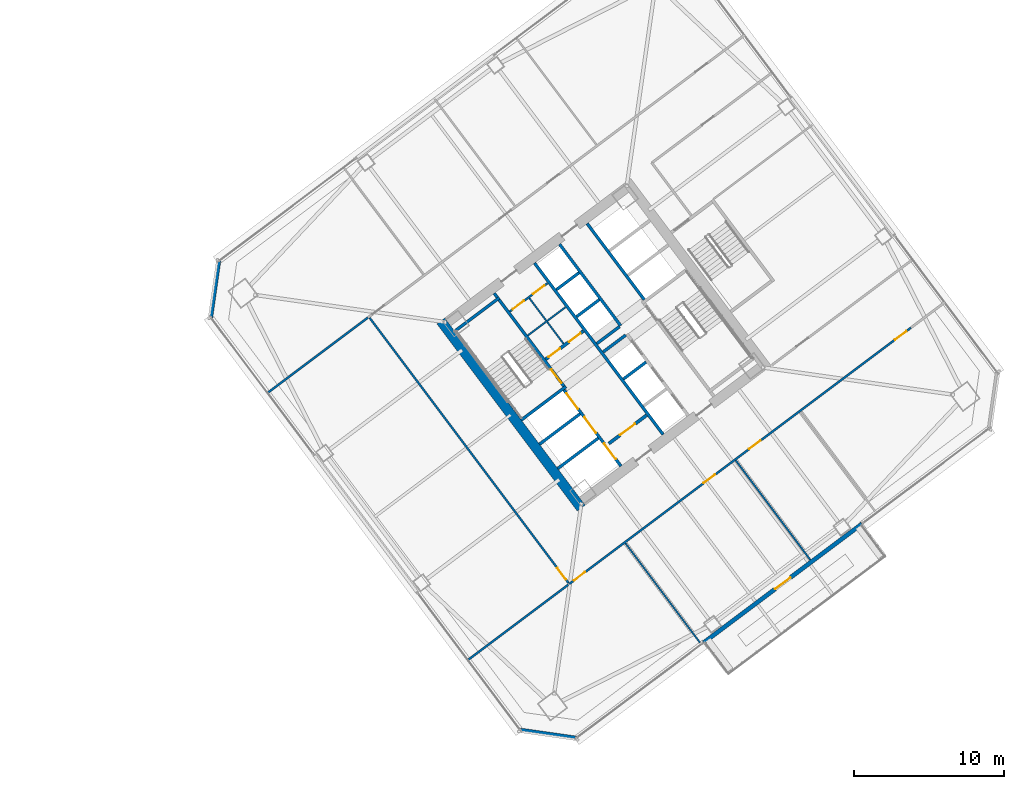
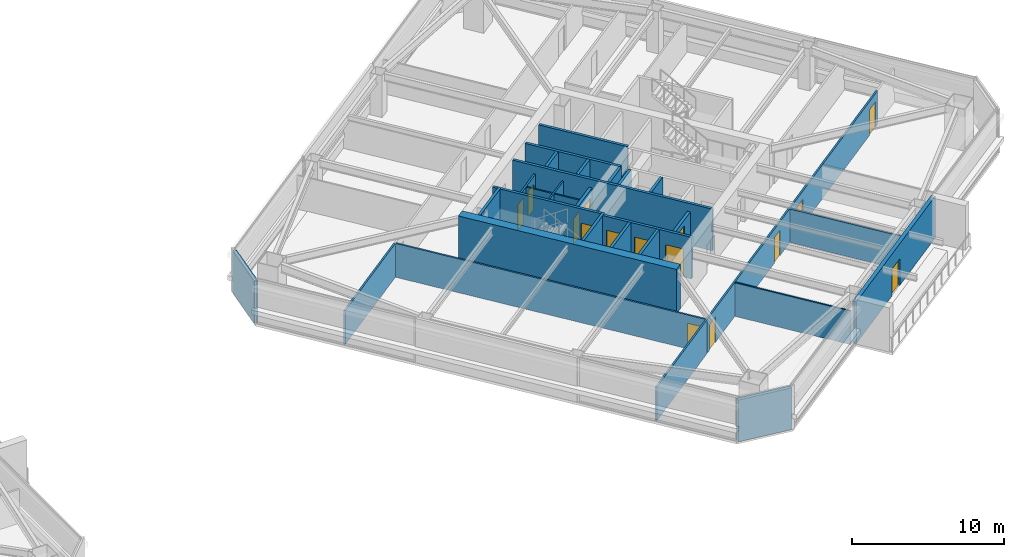
# One storey, part 36 of 44: 29 walls, 15 doors, 15 openings.
"""IFC4 building model written with IfcOpenShell, lengths in metres."""

from ifc_helpers import new_model, si_unit, direction, frame, frame_2d, origin, place, context, subcontext, project, spatial, rectangle, extrude, material, layer, layer_set, type_object, element, fill, save


model = new_model("IFC4")

# Units and contexts
model_context = context("Model", 3, precision=1e-05, world=origin(), true_north=direction((0.0, 1.0)))
body_context = subcontext(model_context, "Body", "Model", "MODEL_VIEW")
ifc_project = project(units=[si_unit("LENGTHUNIT", "METRE"), si_unit("AREAUNIT", "SQUARE_METRE"), si_unit("VOLUMEUNIT", "CUBIC_METRE"), si_unit("PLANEANGLEUNIT", "RADIAN"), si_unit("MASSUNIT", "GRAM", prefix="KILO")], contexts=[model_context])

# Site, building, storey
site_placement = place(None, origin())
site = spatial("IfcSite", under=ifc_project, at=site_placement, CompositionType="ELEMENT")
building_placement = place(site_placement, origin())
building = spatial("IfcBuilding", under=site, at=building_placement, Name="Tashvorn Skyway Center", CompositionType="ELEMENT")
storey_placement = place(building_placement, frame((0.0, 0.0, 102.699951171875)))
storey = spatial("IfcBuildingStorey", under=building, at=storey_placement, Name="L27", CompositionType="ELEMENT", Elevation=102.699951171875)

# Wall
ifc_material_1 = material(Name="Concrete C60/75", Category="concrete")
ifc_layer_1 = layer(ifc_material_1, 0.64990234375)
ifc_layer_set_1 = layer_set([ifc_layer_1], Name="Concrete C60/75")
wall_type_1 = type_object("IfcWallType", Name="WALL-CORE-650", PredefinedType="SHEAR", material=ifc_layer_set_1)
wall_1_placement = place(storey_placement, frame((112.47607421875, 21.10693359375, 0.0), z_axis=(0.0, 0.0, 1.0), x_axis=(-0.600005007985, 0.799996243986, 0.0)))
element("IfcWall", 1, at=wall_1_placement, inside=storey, type_object=wall_type_1, Name="Tower 2 L27 West Core Shear Wall", PredefinedType="SHEAR", context=body_context, shape_type="SweptSolid", body=[
    extrude(rectangle(XDim=15.60009765625, YDim=0.64990234375, at=frame_2d((7.800048828125, 0.0))), origin(), (0.0, 0.0, 1.0), 3.550048828125),
])

# Wall, opening, door
ifc_material_2 = material(Name="Precast concrete C40/50", Category="concrete")
ifc_layer_2 = layer(ifc_material_2, 0.280029296875)
ifc_layer_set_2 = layer_set([ifc_layer_2], Name="Precast concrete C40/50")
wall_type_2 = type_object("IfcWallType", Name="WALL-EXT-280", PredefinedType="SOLIDWALL", material=ifc_layer_set_2)
wall_2_placement = place(storey_placement, frame((131.2080078125, 20.055908203125, 0.0), z_axis=(0.0, 0.0, 1.0), x_axis=(-0.800004438899, -0.599994081423, 0.0)))
wall_2 = element("IfcWall", 2, at=wall_2_placement, inside=storey, type_object=wall_type_2, Name="Tower 2 L27 South Sky Garden Loggia Wall", PredefinedType="SOLIDWALL", context=body_context, shape_type="SweptSolid", body=[
    extrude(rectangle(XDim=13.199951171875, YDim=0.280029296875, at=frame_2d((6.60009765625, 0.0))), origin(), (0.0, 0.0, 1.0), 3.35009765625),
])
opening_1_placement = place(wall_2_placement, frame((5.949951171875, 0.0, 0.0)))
opening_1 = element("IfcOpeningElement", 3, at=opening_1_placement, cuts=wall_2, Name="Opening D-TER-1300", PredefinedType="OPENING", context=body_context, shape_type="SweptSolid", body=[
    extrude(rectangle(XDim=1.300048828125, YDim=2.14990234375, at=frame_2d((0.64990234375, 1.074951171875))), frame((0.0, 0.14990234375, 0.0), z_axis=(0.0, -1.0, 0.0), x_axis=(1.0, 0.0, 0.0)), (0.0, 0.0, 1.0), 0.300048828125),
])
ifc_material_3 = material(Name="Thermally broken bronze-anodized aluminium 6063-T6", Category="aluminium")
door_type_1 = type_object("IfcDoorType", Name="DOOR-TERR-1300", OperationType="NOTDEFINED", PredefinedType="DOOR", material=ifc_material_3)
door_1_placement = place(opening_1_placement, origin())
door_1 = element("IfcDoor", 4, at=door_1_placement, inside=storey, type_object=door_type_1, Name="Tower 2 L27 Sky Garden Access Door", OperationType="SINGLE_SWING_RIGHT", OverallHeight=2.14990234375, OverallWidth=1.300048828125, PredefinedType="DOOR", context=body_context, shape_type="SweptSolid", body=[
    extrude(rectangle(XDim=1.300048828125, YDim=2.14990234375, at=frame_2d((0.64990234375, 1.074951171875))), frame((0.0, 0.02490234375, 0.0), z_axis=(0.0, -1.0, 0.0), x_axis=(1.0, 0.0, 0.0)), (0.0, 0.0, 1.0), 0.050048828125),
])
fill(opening_1, door_1)

# Walls
for number, where, z_axis, x_axis, name in (
    (5, (112.179931640625, 5.760009765625, 0.0), (0.0, 0.0, 1.0), (-0.989948214866, 0.141430307517, 0.0), "Tower 2 L27 SW Precast Chamfer Wall"),
    (6, (87.760009765625, 33.820068359375, 0.0), (0.0, 0.0, 1.0), (0.141430307517, 0.989948214866, 0.0), "Tower 2 L27 NW Precast Chamfer Wall"),
):
    element("IfcWall", number, at=place(storey_placement, frame(where, z_axis=z_axis, x_axis=x_axis)), inside=storey, type_object=wall_type_2, Name=name, PredefinedType="SOLIDWALL", context=body_context, shape_type="SweptSolid", body=[
        extrude(rectangle(XDim=3.818359375, YDim=0.280029296875, at=frame_2d((1.9091796875, 0.0))), origin(), (0.0, 0.0, 1.0), 3.35009765625),
    ])

# Wall, openings, doors
ifc_material_4 = material(Name="Concrete C40/50", Category="concrete")
ifc_layer_3 = layer(ifc_material_4, 0.219970703125)
ifc_layer_set_3 = layer_set([ifc_layer_3], Name="Concrete C40/50")
wall_type_3 = type_object("IfcWallType", Name="WALL-FFL-220", PredefinedType="SOLIDWALL", material=ifc_layer_set_3)
wall_3_placement = place(storey_placement, frame((110.10400390625, 31.028076171875, 0.0), z_axis=(0.0, 0.0, 1.0), x_axis=(0.800018601094, 0.59997519774, 0.0)))
wall_3 = element("IfcWall", 7, at=wall_3_placement, inside=storey, type_object=wall_type_3, Name="Tower 2 L27 Firefighting Lobby North Wall", PredefinedType="SOLIDWALL", context=body_context, shape_type="SweptSolid", body=[
    extrude(rectangle(XDim=3.14990234375, YDim=0.219970703125, at=frame_2d((1.574951171875, 0.0))), origin(), (0.0, 0.0, 1.0), 2.703125),
])
opening_2_placement = place(wall_3_placement, frame((0.25, 0.0, 0.0)))
opening_2 = element("IfcOpeningElement", 8, at=opening_2_placement, cuts=wall_3, Name="Opening D-RT-950", PredefinedType="OPENING", context=body_context, shape_type="SweptSolid", body=[
    extrude(rectangle(XDim=0.949951171875, YDim=2.050048828125, at=frame_2d((0.47509765625, 1.02490234375))), frame((0.0, 0.119873046875, 0.0), z_axis=(0.0, -1.0, 0.0), x_axis=(1.0, 0.0, 0.0)), (0.0, 0.0, 1.0), 0.239990234375),
])
opening_3_placement = place(wall_3_placement, frame((1.949951171875, 0.0, 0.0)))
opening_3 = element("IfcOpeningElement", 9, at=opening_3_placement, cuts=wall_3, Name="Opening D-RT-950", PredefinedType="OPENING", context=body_context, shape_type="SweptSolid", body=[
    extrude(rectangle(XDim=0.949951171875, YDim=2.050048828125, at=frame_2d((0.47509765625, 1.02490234375))), frame((0.0, 0.119873046875, 0.0), z_axis=(0.0, -1.0, 0.0), x_axis=(1.0, 0.0, 0.0)), (0.0, 0.0, 1.0), 0.239990234375),
])
ifc_material_5 = material(Name="Hollow galvanized steel fire door assembly", Category="steel")
door_type_2 = type_object("IfcDoorType", Name="DOOR-RATED-950", OperationType="NOTDEFINED", PredefinedType="DOOR", material=ifc_material_5)
door_2_placement = place(opening_2_placement, origin())
door_2 = element("IfcDoor", 10, at=door_2_placement, inside=storey, type_object=door_type_2, Name="Tower 2 L27 Core Mail Room Door", OperationType="SINGLE_SWING_LEFT", OverallHeight=2.050048828125, OverallWidth=0.949951171875, PredefinedType="DOOR", context=body_context, shape_type="SweptSolid", body=[
    extrude(rectangle(XDim=0.949951171875, YDim=2.050048828125, at=frame_2d((0.47509765625, 1.02490234375))), frame((0.0, 0.02490234375, 0.0), z_axis=(0.0, -1.0, 0.0), x_axis=(1.0, 0.0, 0.0)), (0.0, 0.0, 1.0), 0.050048828125),
])
fill(opening_2, door_2)
door_3_placement = place(opening_3_placement, origin())
door_3 = element("IfcDoor", 11, at=door_3_placement, inside=storey, type_object=door_type_2, Name="Tower 2 L27 Core Supply Closet Door", OperationType="SINGLE_SWING_RIGHT", OverallHeight=2.050048828125, OverallWidth=0.949951171875, PredefinedType="DOOR", context=body_context, shape_type="SweptSolid", body=[
    extrude(rectangle(XDim=0.949951171875, YDim=2.050048828125, at=frame_2d((0.47509765625, 1.02490234375))), frame((0.0, 0.02490234375, 0.0), z_axis=(0.0, -1.0, 0.0), x_axis=(1.0, 0.0, 0.0)), (0.0, 0.0, 1.0), 0.050048828125),
])
fill(opening_3, door_3)

# Wall, opening, door
wall_4_placement = place(storey_placement, frame((114.31591796875, 25.412109375, 0.0), z_axis=(0.0, 0.0, 1.0), x_axis=(0.800018601094, 0.59997519774, 0.0)))
wall_4 = element("IfcWall", 12, at=wall_4_placement, inside=storey, type_object=wall_type_3, Name="Tower 2 L27 Firefighting Lobby South Wall", PredefinedType="SOLIDWALL", context=body_context, shape_type="SweptSolid", body=[
    extrude(rectangle(XDim=3.14990234375, YDim=0.219970703125, at=frame_2d((1.574951171875, 0.0))), origin(), (0.0, 0.0, 1.0), 2.703125),
])
opening_4_placement = place(wall_4_placement, frame((0.949951171875, 0.0, 0.0)))
opening_4 = element("IfcOpeningElement", 13, at=opening_4_placement, cuts=wall_4, Name="Opening D-FFL-1250", PredefinedType="OPENING", context=body_context, shape_type="SweptSolid", body=[
    extrude(rectangle(XDim=1.25, YDim=2.25, at=frame_2d((0.625, 1.125))), frame((0.0, 0.119873046875, 0.0), z_axis=(0.0, -1.0, 0.0), x_axis=(1.0, 0.0, 0.0)), (0.0, 0.0, 1.0), 0.239990234375),
])
door_type_3 = type_object("IfcDoorType", Name="DOOR-FFL-1250", OperationType="NOTDEFINED", PredefinedType="DOOR", material=ifc_material_5)
door_4_placement = place(opening_4_placement, origin())
door_4 = element("IfcDoor", 14, at=door_4_placement, inside=storey, type_object=door_type_3, Name="Tower 2 L27 Firefighting Lobby Egress Door", OperationType="SINGLE_SWING_LEFT", OverallHeight=2.25, OverallWidth=1.25, PredefinedType="DOOR", context=body_context, shape_type="SweptSolid", body=[
    extrude(rectangle(XDim=1.25, YDim=2.25, at=frame_2d((0.625, 1.125))), frame((0.0, 0.02490234375, 0.0), z_axis=(0.0, -1.0, 0.0), x_axis=(1.0, 0.0, 0.0)), (0.0, 0.0, 1.0), 0.050048828125),
])
fill(opening_4, door_4)

# Walls
ifc_material_6 = material(Name="Gypsum board on cold-formed steel stud framing", Category="steel")
ifc_layer_4 = layer(ifc_material_6, 0.110107421875)
ifc_layer_set_4 = layer_set([ifc_layer_4], Name="Gypsum board on cold-formed steel stud framing")
wall_type_4 = type_object("IfcWallType", Name="WALL-PART-110", PredefinedType="PARTITIONING", material=ifc_layer_set_4)
for number, where, z_axis, x_axis, name in (
    (15, (120.39794921875, 12.135986328125, 0.0), (0.0, 0.0, 1.0), (-0.6, 0.8, 0.0), "Tower 2 L27 South Suite Partition 1"),
    (16, (127.758056640625, 17.656005859375, 0.0), (0.0, 0.0, 1.0), (-0.6, 0.8, 0.0), "Tower 2 L27 South Suite Partition 2"),
):
    element("IfcWall", number, at=place(storey_placement, frame(where, z_axis=z_axis, x_axis=x_axis)), inside=storey, type_object=wall_type_4, Name=name, PredefinedType="PARTITIONING", context=body_context, shape_type="SweptSolid", body=[
        extrude(rectangle(XDim=8.280029296875, YDim=0.110107421875, at=frame_2d((4.14013671875, 0.0))), origin(), (0.0, 0.0, 1.0), 2.703125),
    ])

# Wall, openings, doors
ifc_layer_5 = layer(ifc_material_6, 0.135009765625)
ifc_layer_set_5 = layer_set([ifc_layer_5], Name="Gypsum board on cold-formed steel stud framing")
wall_type_5 = type_object("IfcWallType", Name="WALL-PART-135", PredefinedType="PARTITIONING", material=ifc_layer_set_5)
wall_5_placement = place(storey_placement, frame((134.4619140625, 33.134033203125, 0.0), z_axis=(0.0, 0.0, 1.0), x_axis=(-0.799996913945, -0.600004114717, 0.0)))
wall_5 = element("IfcWall", 17, at=wall_5_placement, inside=storey, type_object=wall_type_5, Name="Tower 2 L27 South Suite Wall", PredefinedType="PARTITIONING", context=body_context, shape_type="SweptSolid", body=[
    extrude(rectangle(XDim=28.47998046875, YDim=0.135009765625, at=frame_2d((14.239990234375, 0.0))), origin(), (0.0, 0.0, 1.0), 2.703125),
])
opening_5_placement = place(wall_5_placement, frame((27.14990234375, 0.0, 0.0)))
opening_5 = element("IfcOpeningElement", 18, at=opening_5_placement, cuts=wall_5, Name="Opening D-INT-950", PredefinedType="OPENING", context=body_context, shape_type="SweptSolid", body=[
    extrude(rectangle(XDim=0.949951171875, YDim=2.050048828125, at=frame_2d((0.47509765625, 1.02490234375))), frame((0.0, 0.077392578125, 0.0), z_axis=(0.0, -1.0, 0.0), x_axis=(1.0, 0.0, 0.0)), (0.0, 0.0, 1.0), 0.155029296875),
])
opening_6_placement = place(wall_5_placement, frame((16.3212890625, 0.0, 0.0)))
opening_6 = element("IfcOpeningElement", 19, at=opening_6_placement, cuts=wall_5, Name="Opening D-INT-950", PredefinedType="OPENING", context=body_context, shape_type="SweptSolid", body=[
    extrude(rectangle(XDim=0.949951171875, YDim=2.050048828125, at=frame_2d((0.47509765625, 1.02490234375))), frame((0.0, 0.077392578125, 0.0), z_axis=(0.0, -1.0, 0.0), x_axis=(1.0, 0.0, 0.0)), (0.0, 0.0, 1.0), 0.155029296875),
])
opening_7_placement = place(wall_5_placement, frame((12.529296875, 0.0, 0.0)))
opening_7 = element("IfcOpeningElement", 20, at=opening_7_placement, cuts=wall_5, Name="Opening D-INT-950", PredefinedType="OPENING", context=body_context, shape_type="SweptSolid", body=[
    extrude(rectangle(XDim=0.949951171875, YDim=2.050048828125, at=frame_2d((0.47509765625, 1.02490234375))), frame((0.0, 0.077392578125, 0.0), z_axis=(0.0, -1.0, 0.0), x_axis=(1.0, 0.0, 0.0)), (0.0, 0.0, 1.0), 0.155029296875),
])
opening_8_placement = place(wall_5_placement, frame((0.3798828125, 0.0, 0.0)))
opening_8 = element("IfcOpeningElement", 21, at=opening_8_placement, cuts=wall_5, Name="Opening D-INT-950", PredefinedType="OPENING", context=body_context, shape_type="SweptSolid", body=[
    extrude(rectangle(XDim=0.949951171875, YDim=2.050048828125, at=frame_2d((0.47509765625, 1.02490234375))), frame((0.0, 0.077392578125, 0.0), z_axis=(0.0, -1.0, 0.0), x_axis=(1.0, 0.0, 0.0)), (0.0, 0.0, 1.0), 0.155029296875),
])
ifc_material_7 = material(Name="Solid-core architectural oak veneer door")
door_type_4 = type_object("IfcDoorType", Name="DOOR-INT-950", OperationType="NOTDEFINED", PredefinedType="DOOR", material=ifc_material_7)
door_5_placement = place(opening_5_placement, origin())
door_5 = element("IfcDoor", 22, at=door_5_placement, inside=storey, type_object=door_type_4, Name="Tower 2 L27 Gallery Showroom Door", OperationType="SINGLE_SWING_LEFT", OverallHeight=2.050048828125, OverallWidth=0.949951171875, PredefinedType="DOOR", context=body_context, shape_type="SweptSolid", body=[
    extrude(rectangle(XDim=0.949951171875, YDim=2.050048828125, at=frame_2d((0.47509765625, 1.02490234375))), frame((0.0, 0.02490234375, 0.0), z_axis=(0.0, -1.0, 0.0), x_axis=(1.0, 0.0, 0.0)), (0.0, 0.0, 1.0), 0.050048828125),
])
fill(opening_5, door_5)
door_6_placement = place(opening_6_placement, origin())
door_6 = element("IfcDoor", 23, at=door_6_placement, inside=storey, type_object=door_type_4, Name="Tower 2 L27 Reading Lounge Door", OperationType="SINGLE_SWING_RIGHT", OverallHeight=2.050048828125, OverallWidth=0.949951171875, PredefinedType="DOOR", context=body_context, shape_type="SweptSolid", body=[
    extrude(rectangle(XDim=0.949951171875, YDim=2.050048828125, at=frame_2d((0.47509765625, 1.02490234375))), frame((0.0, 0.02490234375, 0.0), z_axis=(0.0, -1.0, 0.0), x_axis=(1.0, 0.0, 0.0)), (0.0, 0.0, 1.0), 0.050048828125),
])
fill(opening_6, door_6)
door_7_placement = place(opening_7_placement, origin())
door_7 = element("IfcDoor", 24, at=door_7_placement, inside=storey, type_object=door_type_4, Name="Tower 2 L27 Reading Lounge Door", OperationType="SINGLE_SWING_LEFT", OverallHeight=2.050048828125, OverallWidth=0.949951171875, PredefinedType="DOOR", context=body_context, shape_type="SweptSolid", body=[
    extrude(rectangle(XDim=0.949951171875, YDim=2.050048828125, at=frame_2d((0.47509765625, 1.02490234375))), frame((0.0, 0.02490234375, 0.0), z_axis=(0.0, -1.0, 0.0), x_axis=(1.0, 0.0, 0.0)), (0.0, 0.0, 1.0), 0.050048828125),
])
fill(opening_7, door_7)
door_8_placement = place(opening_8_placement, origin())
door_8 = element("IfcDoor", 25, at=door_8_placement, inside=storey, type_object=door_type_4, Name="Tower 2 L27 Collaborative Studio Door", OperationType="SINGLE_SWING_RIGHT", OverallHeight=2.050048828125, OverallWidth=0.949951171875, PredefinedType="DOOR", context=body_context, shape_type="SweptSolid", body=[
    extrude(rectangle(XDim=0.949951171875, YDim=2.050048828125, at=frame_2d((0.47509765625, 1.02490234375))), frame((0.0, 0.02490234375, 0.0), z_axis=(0.0, -1.0, 0.0), x_axis=(1.0, 0.0, 0.0)), (0.0, 0.0, 1.0), 0.050048828125),
])
fill(opening_8, door_8)

# Wall, opening, door
wall_6_placement = place(storey_placement, frame((111.6298828125, 16.110107421875, 0.0), z_axis=(0.0, 0.0, 1.0), x_axis=(-0.599996466511, 0.800002650104, 0.0)))
wall_6 = element("IfcWall", 26, at=wall_6_placement, inside=storey, type_object=wall_type_5, Name="Tower 2 L27 West Inner Suite Wall", PredefinedType="PARTITIONING", context=body_context, shape_type="SweptSolid", body=[
    extrude(rectangle(XDim=22.10986328125, YDim=0.135009765625, at=frame_2d((11.054931640625, 0.0))), origin(), (0.0, 0.0, 1.0), 2.703125),
])
opening_9_placement = place(wall_6_placement, frame((0.300048828125, 0.0, 0.0)))
opening_9 = element("IfcOpeningElement", 27, at=opening_9_placement, cuts=wall_6, Name="Opening D-INT-950", PredefinedType="OPENING", context=body_context, shape_type="SweptSolid", body=[
    extrude(rectangle(XDim=0.949951171875, YDim=2.050048828125, at=frame_2d((0.47509765625, 1.02490234375))), frame((0.0, 0.077392578125, 0.0), z_axis=(0.0, -1.0, 0.0), x_axis=(1.0, 0.0, 0.0)), (0.0, 0.0, 1.0), 0.155029296875),
])
door_9_placement = place(opening_9_placement, origin())
door_9 = element("IfcDoor", 28, at=door_9_placement, inside=storey, type_object=door_type_4, Name="Tower 2 L27 Collaborative Studio Door", OperationType="SINGLE_SWING_LEFT", OverallHeight=2.050048828125, OverallWidth=0.949951171875, PredefinedType="DOOR", context=body_context, shape_type="SweptSolid", body=[
    extrude(rectangle(XDim=0.949951171875, YDim=2.050048828125, at=frame_2d((0.47509765625, 1.02490234375))), frame((0.0, 0.02490234375, 0.0), z_axis=(0.0, -1.0, 0.0), x_axis=(1.0, 0.0, 0.0)), (0.0, 0.0, 1.0), 0.050048828125),
])
fill(opening_9, door_9)

# Walls
for number, where, z_axis, x_axis, name in (
    (29, (98.251953125, 33.81396484375, 0.0), (0.0, 0.0, 1.0), (-0.800003500202, -0.599995333035, 0.0), "Tower 2 L27 West Suite North Wall"),
    (30, (104.91796875, 10.97607421875, 0.0), (0.0, 0.0, 1.0), (0.800003500202, 0.599995333035, 0.0), "Tower 2 L27 West Suite South Wall"),
):
    element("IfcWall", number, at=place(storey_placement, frame(where, z_axis=z_axis, x_axis=x_axis)), inside=storey, type_object=wall_type_5, Name=name, PredefinedType="PARTITIONING", context=body_context, shape_type="SweptSolid", body=[
        extrude(rectangle(XDim=8.3701171875, YDim=0.135009765625, at=frame_2d((4.18505859375, 0.0))), origin(), (0.0, 0.0, 1.0), 2.703125),
    ])
ifc_layer_6 = layer(ifc_material_6, 0.110107421875)
ifc_layer_set_6 = layer_set([ifc_layer_6], Name="Gypsum board on cold-formed steel stud framing")
wall_type_6 = type_object("IfcWallType", Name="WALL-RATED-110", PredefinedType="PARTITIONING", material=ifc_layer_set_6)
wall_7_placement = place(storey_placement, frame((111.2958984375, 32.072021484375, 0.0), z_axis=(0.0, 0.0, 1.0), x_axis=(-0.59995887973, 0.800030838552, 0.0)))
element("IfcWall", 31, at=wall_7_placement, inside=storey, type_object=wall_type_6, Name="Tower 2 L27 Core Cross Vertical", PredefinedType="PARTITIONING", context=body_context, shape_type="SweptSolid", body=[
    extrude(rectangle(XDim=3.7998046875, YDim=0.110107421875, at=frame_2d((1.89990234375, 0.0))), origin(), (0.0, 0.0, 1.0), 2.703125),
])
wall_8_placement = place(storey_placement, frame((108.909912109375, 32.6201171875, 0.0), z_axis=(0.0, 0.0, 1.0), x_axis=(0.800018601094, 0.59997519774, 0.0)))
element("IfcWall", 32, at=wall_8_placement, inside=storey, type_object=wall_type_6, Name="Tower 2 L27 Core Cross Horizontal", PredefinedType="PARTITIONING", context=body_context, shape_type="SweptSolid", body=[
    extrude(rectangle(XDim=3.14990234375, YDim=0.110107421875, at=frame_2d((1.574951171875, 0.0))), origin(), (0.0, 0.0, 1.0), 2.703125),
])

# Wall, openings, doors
ifc_layer_7 = layer(ifc_material_6, 0.135009765625)
ifc_layer_set_7 = layer_set([ifc_layer_7], Name="Gypsum board on cold-formed steel stud framing")
wall_type_7 = type_object("IfcWallType", Name="WALL-RATED-135", PredefinedType="PARTITIONING", material=ifc_layer_set_7)
wall_9_placement = place(storey_placement, frame((107.7099609375, 34.219970703125, 0.0), z_axis=(0.0, 0.0, 1.0), x_axis=(0.799981399002, 0.60002480053, 0.0)))
wall_9 = element("IfcWall", 33, at=wall_9_placement, inside=storey, type_object=wall_type_7, Name="Tower 2 L27 Core Service Lobby Wall", PredefinedType="PARTITIONING", context=body_context, shape_type="SweptSolid", body=[
    extrude(rectangle(XDim=3.150146484375, YDim=0.135009765625, at=frame_2d((1.5751953125, 0.0))), origin(), (0.0, 0.0, 1.0), 2.703125),
])
opening_10_placement = place(wall_9_placement, frame((0.25, 0.0, 0.0)))
opening_10 = element("IfcOpeningElement", 34, at=opening_10_placement, cuts=wall_9, Name="Opening D-RT-950", PredefinedType="OPENING", context=body_context, shape_type="SweptSolid", body=[
    extrude(rectangle(XDim=0.949951171875, YDim=2.050048828125, at=frame_2d((0.47509765625, 1.02490234375))), frame((0.0, 0.077392578125, 0.0), z_axis=(0.0, -1.0, 0.0), x_axis=(1.0, 0.0, 0.0)), (0.0, 0.0, 1.0), 0.155029296875),
])
opening_11_placement = place(wall_9_placement, frame((1.949951171875, 0.0, 0.0)))
opening_11 = element("IfcOpeningElement", 35, at=opening_11_placement, cuts=wall_9, Name="Opening D-RT-950", PredefinedType="OPENING", context=body_context, shape_type="SweptSolid", body=[
    extrude(rectangle(XDim=0.949951171875, YDim=2.050048828125, at=frame_2d((0.47509765625, 1.02490234375))), frame((0.0, 0.077392578125, 0.0), z_axis=(0.0, -1.0, 0.0), x_axis=(1.0, 0.0, 0.0)), (0.0, 0.0, 1.0), 0.155029296875),
])
door_10_placement = place(opening_10_placement, origin())
door_10 = element("IfcDoor", 36, at=door_10_placement, inside=storey, type_object=door_type_2, Name="Tower 2 L27 Core Cleaner Store Door", OperationType="SINGLE_SWING_LEFT", OverallHeight=2.050048828125, OverallWidth=0.949951171875, PredefinedType="DOOR", context=body_context, shape_type="SweptSolid", body=[
    extrude(rectangle(XDim=0.949951171875, YDim=2.050048828125, at=frame_2d((0.47509765625, 1.02490234375))), frame((0.0, 0.02490234375, 0.0), z_axis=(0.0, -1.0, 0.0), x_axis=(1.0, 0.0, 0.0)), (0.0, 0.0, 1.0), 0.050048828125),
])
fill(opening_10, door_10)
door_11_placement = place(opening_11_placement, origin())
door_11 = element("IfcDoor", 37, at=door_11_placement, inside=storey, type_object=door_type_2, Name="Tower 2 L27 Core Accessible WC Door", OperationType="SINGLE_SWING_RIGHT", OverallHeight=2.050048828125, OverallWidth=0.949951171875, PredefinedType="DOOR", context=body_context, shape_type="SweptSolid", body=[
    extrude(rectangle(XDim=0.949951171875, YDim=2.050048828125, at=frame_2d((0.47509765625, 1.02490234375))), frame((0.0, 0.02490234375, 0.0), z_axis=(0.0, -1.0, 0.0), x_axis=(1.0, 0.0, 0.0)), (0.0, 0.0, 1.0), 0.050048828125),
])
fill(opening_11, door_11)

# Walls
ifc_layer_8 = layer(ifc_material_4, 0.199951171875)
ifc_layer_set_8 = layer_set([ifc_layer_8], Name="Concrete C40/50")
wall_type_8 = type_object("IfcWallType", Name="WALL-SHAFT-200", PredefinedType="SOLIDWALL", material=ifc_layer_set_8)
for number, where, z_axis, x_axis, name in (
    (38, (110.906005859375, 23.741943359375, 0.0), (0.0, 0.0, 1.0), (0.8, 0.6, 0.0), "Tower 2 L27 FSAE Shaft Divider"),
    (39, (109.68798828125, 25.365966796875, 0.0), (0.0, 0.0, 1.0), (0.8, 0.6, 0.0), "Tower 2 L27 FSAE Shaft Divider"),
):
    element("IfcWall", number, at=place(storey_placement, frame(where, z_axis=z_axis, x_axis=x_axis)), inside=storey, type_object=wall_type_8, Name=name, PredefinedType="SOLIDWALL", context=body_context, shape_type="SweptSolid", body=[
        extrude(rectangle(XDim=3.380126953125, YDim=0.199951171875, at=frame_2d((1.68994140625, 0.0))), origin(), (0.0, 0.0, 1.0), 3.35009765625),
    ])
wall_10_placement = place(storey_placement, frame((115.2958984375, 29.721923828125, 0.0), z_axis=(0.0, 0.0, 1.0), x_axis=(0.799984418148, 0.600020775241, 0.0)))
element("IfcWall", 40, at=wall_10_placement, inside=storey, type_object=wall_type_8, Name="Tower 2 L27 Low-Rise Shaft Divider", PredefinedType="SOLIDWALL", context=body_context, shape_type="SweptSolid", body=[
    extrude(rectangle(XDim=1.880126953125, YDim=0.199951171875, at=frame_2d((0.93994140625, 0.0))), origin(), (0.0, 0.0, 1.0), 3.35009765625),
])
wall_11_placement = place(storey_placement, frame((113.946044921875, 31.52197265625, 0.0), z_axis=(0.0, 0.0, 1.0), x_axis=(0.8, 0.6, 0.0)))
element("IfcWall", 41, at=wall_11_placement, inside=storey, type_object=wall_type_8, Name="Tower 2 L27 Low-Rise Shaft Divider", PredefinedType="SOLIDWALL", context=body_context, shape_type="SweptSolid", body=[
    extrude(rectangle(XDim=1.8798828125, YDim=0.199951171875, at=frame_2d((0.93994140625, 0.0))), origin(), (0.0, 0.0, 1.0), 3.35009765625),
])
wall_12_placement = place(storey_placement, frame((115.110107421875, 33.27001953125, 0.0), z_axis=(0.0, 0.0, 1.0), x_axis=(-0.600011488909, 0.79999138319, 0.0)))
element("IfcWall", 42, at=wall_12_placement, inside=storey, type_object=wall_type_8, Name="Tower 2 L27 Mid-Rise Core Wall", PredefinedType="SOLIDWALL", context=body_context, shape_type="SweptSolid", body=[
    extrude(rectangle(XDim=6.800048828125, YDim=0.199951171875, at=frame_2d((3.39990234375, 0.0))), origin(), (0.0, 0.0, 1.0), 3.35009765625),
])
wall_13_placement = place(storey_placement, frame((113.52587890625, 32.08203125, 0.0), z_axis=(0.0, 0.0, 1.0), x_axis=(0.800046745961, 0.599937666993, 0.0)))
element("IfcWall", 43, at=wall_13_placement, inside=storey, type_object=wall_type_8, Name="Tower 2 L27 Mid-Rise Shaft Divider", PredefinedType="SOLIDWALL", context=body_context, shape_type="SweptSolid", body=[
    extrude(rectangle(XDim=1.880126953125, YDim=0.199951171875, at=frame_2d((0.93994140625, 0.0))), origin(), (0.0, 0.0, 1.0), 3.35009765625),
])
wall_14_placement = place(storey_placement, frame((112.176025390625, 33.882080078125, 0.0), z_axis=(0.0, 0.0, 1.0), x_axis=(0.8, 0.6, 0.0)))
element("IfcWall", 44, at=wall_14_placement, inside=storey, type_object=wall_type_8, Name="Tower 2 L27 Mid-Rise Shaft Divider", PredefinedType="SOLIDWALL", context=body_context, shape_type="SweptSolid", body=[
    extrude(rectangle(XDim=1.8798828125, YDim=0.199951171875, at=frame_2d((0.93994140625, 0.0))), origin(), (0.0, 0.0, 1.0), 3.35009765625),
])
wall_15_placement = place(storey_placement, frame((110.825927734375, 35.681884765625, 0.0), z_axis=(0.0, 0.0, 1.0), x_axis=(0.799984418148, 0.600020775241, 0.0)))
element("IfcWall", 45, at=wall_15_placement, inside=storey, type_object=wall_type_8, Name="Tower 2 L27 Mid-Rise Shaft Divider", PredefinedType="SOLIDWALL", context=body_context, shape_type="SweptSolid", body=[
    extrude(rectangle(XDim=1.880126953125, YDim=0.199951171875, at=frame_2d((0.93994140625, 0.0))), origin(), (0.0, 0.0, 1.0), 3.35009765625),
])

# Wall, opening, door
ifc_layer_9 = layer(ifc_material_4, 0.199951171875)
ifc_layer_set_9 = layer_set([ifc_layer_9], Name="Concrete C40/50")
wall_type_9 = type_object("IfcWallType", Name="WALL-STSHF-200", PredefinedType="SHEAR", material=ifc_layer_set_9)
wall_16_placement = place(storey_placement, frame((111.43994140625, 29.080078125, 0.0), z_axis=(0.0, 0.0, 1.0), x_axis=(-0.600009827119, 0.799992629566, 0.0)))
wall_16 = element("IfcWall", 46, at=wall_16_placement, inside=storey, type_object=wall_type_9, Name="Tower 2 L27 Stair 1 Enclosure Wall", PredefinedType="SHEAR", context=body_context, shape_type="SweptSolid", body=[
    extrude(rectangle(XDim=7.949951171875, YDim=0.199951171875, at=frame_2d((3.97509765625, 0.0))), origin(), (0.0, 0.0, 1.0), 3.35009765625),
])
opening_12_placement = place(wall_16_placement, frame((0.449951171875, 0.0, 0.0)))
opening_12 = element("IfcOpeningElement", 47, at=opening_12_placement, cuts=wall_16, Name="Opening D-ST-1150", PredefinedType="OPENING", context=body_context, shape_type="SweptSolid", body=[
    extrude(rectangle(XDim=1.14990234375, YDim=2.199951171875, at=frame_2d((0.574951171875, 1.10009765625))), frame((0.0, 0.10986328125, 0.0), z_axis=(0.0, -1.0, 0.0), x_axis=(1.0, 0.0, 0.0)), (0.0, 0.0, 1.0), 0.219970703125),
])
door_type_5 = type_object("IfcDoorType", Name="DOOR-STAIR-1150", OperationType="NOTDEFINED", PredefinedType="DOOR", material=ifc_material_5)
door_12_placement = place(opening_12_placement, origin())
door_12 = element("IfcDoor", 48, at=door_12_placement, inside=storey, type_object=door_type_5, Name="Tower 2 L27 Exit Stair 1 Door", OperationType="SINGLE_SWING_RIGHT", OverallHeight=2.199951171875, OverallWidth=1.14990234375, PredefinedType="DOOR", context=body_context, shape_type="SweptSolid", body=[
    extrude(rectangle(XDim=1.14990234375, YDim=2.199951171875, at=frame_2d((0.574951171875, 1.10009765625))), frame((0.0, 0.02490234375, 0.0), z_axis=(0.0, -1.0, 0.0), x_axis=(1.0, 0.0, 0.0)), (0.0, 0.0, 1.0), 0.050048828125),
])
fill(opening_12, door_12)

# Walls
for number, where, z_axis, x_axis, name in (
    (49, (108.47607421875, 26.98193359375, 0.0), (0.0, 0.0, 1.0), (0.799984290658, 0.600020945218, 0.0), "Tower 2 L27 Stair 1 South Wall"),
    (50, (104.035888671875, 32.902099609375, 0.0), (0.0, 0.0, 1.0), (0.800039270442, 0.59994763584, 0.0), "Tower 2 L27 Stair 1 North Wall"),
):
    element("IfcWall", number, at=place(storey_placement, frame(where, z_axis=z_axis, x_axis=x_axis)), inside=storey, type_object=wall_type_9, Name=name, PredefinedType="SHEAR", context=body_context, shape_type="SweptSolid", body=[
        extrude(rectangle(XDim=3.72998046875, YDim=0.199951171875, at=frame_2d((1.864990234375, 0.0))), origin(), (0.0, 0.0, 1.0), 3.35009765625),
    ])
wall_17_placement = place(storey_placement, frame((117.93798828125, 26.01611328125, 0.0), z_axis=(0.0, 0.0, 1.0), x_axis=(-0.600005463273, 0.799995902516, 0.0)))
element("IfcWall", 51, at=wall_17_placement, inside=storey, type_object=wall_type_9, Name="Tower 2 L27 Firefighting Lobby East Smoke Barrier", PredefinedType="SHEAR", context=body_context, shape_type="SweptSolid", body=[
    extrude(rectangle(XDim=14.300048828125, YDim=0.199951171875, at=frame_2d((7.14990234375, 0.0))), origin(), (0.0, 0.0, 1.0), 3.35009765625),
])

# Wall, openings, doors
wall_18_placement = place(storey_placement, frame((115.1298828125, 23.909912109375, 0.0), z_axis=(0.0, 0.0, 1.0), x_axis=(-0.599975393228, 0.800018454488, 0.0)))
wall_18 = element("IfcWall", 52, at=wall_18_placement, inside=storey, type_object=wall_type_9, Name="Tower 2 L27 FSAE and Goods Shaft Front Wall", PredefinedType="SHEAR", context=body_context, shape_type="SweptSolid", body=[
    extrude(rectangle(XDim=6.349853515625, YDim=0.199951171875, at=frame_2d((3.1748046875, 0.0))), origin(), (0.0, 0.0, 1.0), 3.35009765625),
])
opening_13_placement = place(wall_18_placement, frame((4.77490234375, 0.0, 0.0)))
opening_13 = element("IfcOpeningElement", 53, at=opening_13_placement, cuts=wall_18, Name="Opening LD-FF-T2-1-L27", PredefinedType="OPENING", context=body_context, shape_type="SweptSolid", body=[
    extrude(rectangle(XDim=1.300048828125, YDim=2.25, at=frame_2d((0.64990234375, 1.125))), frame((0.0, 0.10986328125, 0.0), z_axis=(0.0, -1.0, 0.0), x_axis=(1.0, 0.0, 0.0)), (0.0, 0.0, 1.0), 0.219970703125),
])
opening_14_placement = place(wall_18_placement, frame((2.77490234375, 0.0, 0.0)))
opening_14 = element("IfcOpeningElement", 54, at=opening_14_placement, cuts=wall_18, Name="Opening LD-FF-T2-2-L27", PredefinedType="OPENING", context=body_context, shape_type="SweptSolid", body=[
    extrude(rectangle(XDim=1.300048828125, YDim=2.25, at=frame_2d((0.64990234375, 1.125))), frame((0.0, 0.10986328125, 0.0), z_axis=(0.0, -1.0, 0.0), x_axis=(1.0, 0.0, 0.0)), (0.0, 0.0, 1.0), 0.219970703125),
])
opening_15_placement = place(wall_18_placement, frame((0.574951171875, 0.0, 0.0)))
opening_15 = element("IfcOpeningElement", 55, at=opening_15_placement, cuts=wall_18, Name="Opening LD-GD-T2-1-L27", PredefinedType="OPENING", context=body_context, shape_type="SweptSolid", body=[
    extrude(rectangle(XDim=1.300048828125, YDim=2.25, at=frame_2d((0.64990234375, 1.125))), frame((0.0, 0.10986328125, 0.0), z_axis=(0.0, -1.0, 0.0), x_axis=(1.0, 0.0, 0.0)), (0.0, 0.0, 1.0), 0.219970703125),
])
ifc_material_8 = material(Name="Stainless steel heavy-duty landing door", Category="steel")
door_type_6 = type_object("IfcDoorType", Name="DOOR-LIFT-1300", OperationType="SLIDING_TO_LEFT", PredefinedType="DOOR", material=ifc_material_8)
door_13_placement = place(opening_13_placement, origin())
door_13 = element("IfcDoor", 56, at=door_13_placement, inside=storey, type_object=door_type_6, Name="Lift FF-T2-1 L27 Landing Door", OperationType="SLIDING_TO_LEFT", OverallHeight=2.25, OverallWidth=1.300048828125, PredefinedType="DOOR", context=body_context, shape_type="SweptSolid", body=[
    extrude(rectangle(XDim=1.300048828125, YDim=2.25, at=frame_2d((0.64990234375, 1.125))), frame((0.0, 0.02490234375, 0.0), z_axis=(0.0, -1.0, 0.0), x_axis=(1.0, 0.0, 0.0)), (0.0, 0.0, 1.0), 0.050048828125),
])
fill(opening_13, door_13)
door_14_placement = place(opening_14_placement, origin())
door_14 = element("IfcDoor", 57, at=door_14_placement, inside=storey, type_object=door_type_6, Name="Lift FF-T2-2 L27 Landing Door", OperationType="SLIDING_TO_LEFT", OverallHeight=2.25, OverallWidth=1.300048828125, PredefinedType="DOOR", context=body_context, shape_type="SweptSolid", body=[
    extrude(rectangle(XDim=1.300048828125, YDim=2.25, at=frame_2d((0.64990234375, 1.125))), frame((0.0, 0.02490234375, 0.0), z_axis=(0.0, -1.0, 0.0), x_axis=(1.0, 0.0, 0.0)), (0.0, 0.0, 1.0), 0.050048828125),
])
fill(opening_14, door_14)
door_15_placement = place(opening_15_placement, origin())
door_15 = element("IfcDoor", 58, at=door_15_placement, inside=storey, type_object=door_type_6, Name="Lift GD-T2-1 L27 Landing Door", OperationType="SLIDING_TO_LEFT", OverallHeight=2.25, OverallWidth=1.300048828125, PredefinedType="DOOR", context=body_context, shape_type="SweptSolid", body=[
    extrude(rectangle(XDim=1.300048828125, YDim=2.25, at=frame_2d((0.64990234375, 1.125))), frame((0.0, 0.02490234375, 0.0), z_axis=(0.0, -1.0, 0.0), x_axis=(1.0, 0.0, 0.0)), (0.0, 0.0, 1.0), 0.050048828125),
])
fill(opening_15, door_15)

# Wall
wall_19_placement = place(storey_placement, frame((112.8701171875, 40.090087890625, 0.0), z_axis=(0.0, 0.0, 1.0), x_axis=(0.599975393228, -0.800018454488, 0.0)))
element("IfcWall", 59, at=wall_19_placement, inside=storey, type_object=wall_type_9, Name="Tower 2 L27 High-Rise Lift Shaft Front Wall", PredefinedType="SHEAR", context=body_context, shape_type="SweptSolid", body=[
    extrude(rectangle(XDim=6.349853515625, YDim=0.199951171875, at=frame_2d((3.1748046875, 0.0))), origin(), (0.0, 0.0, 1.0), 3.35009765625),
])

save(model, "model.ifc")
